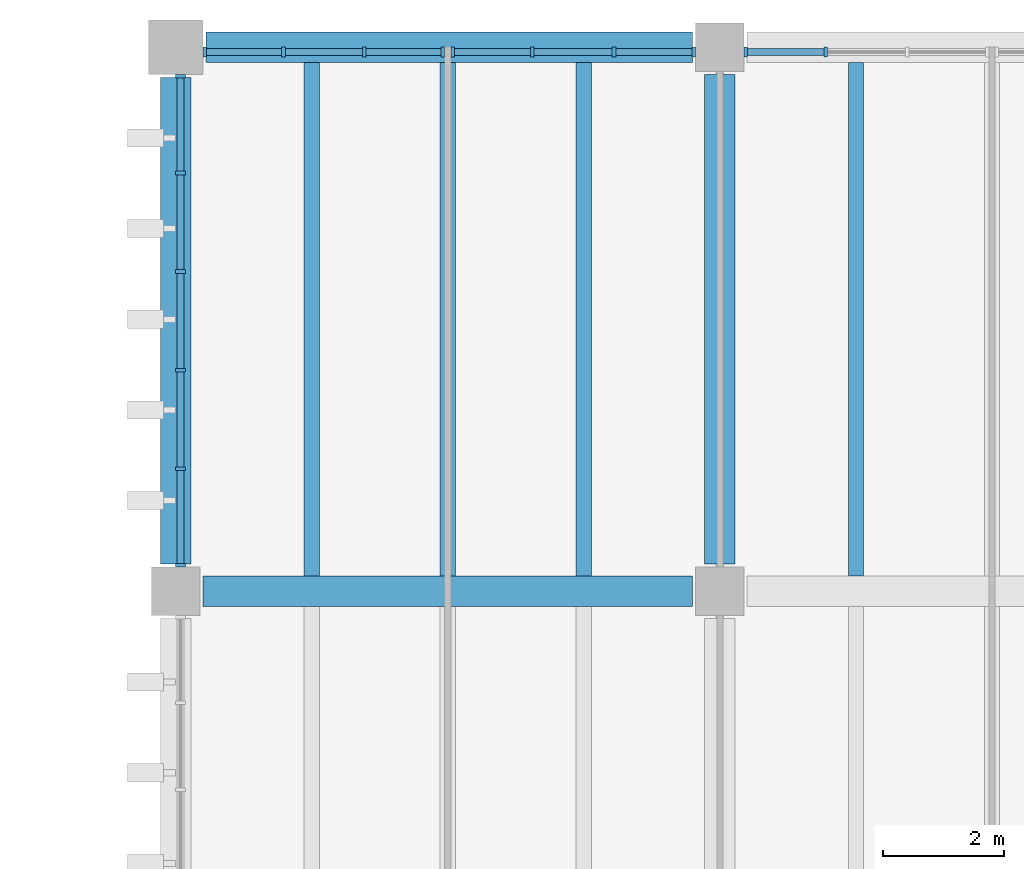
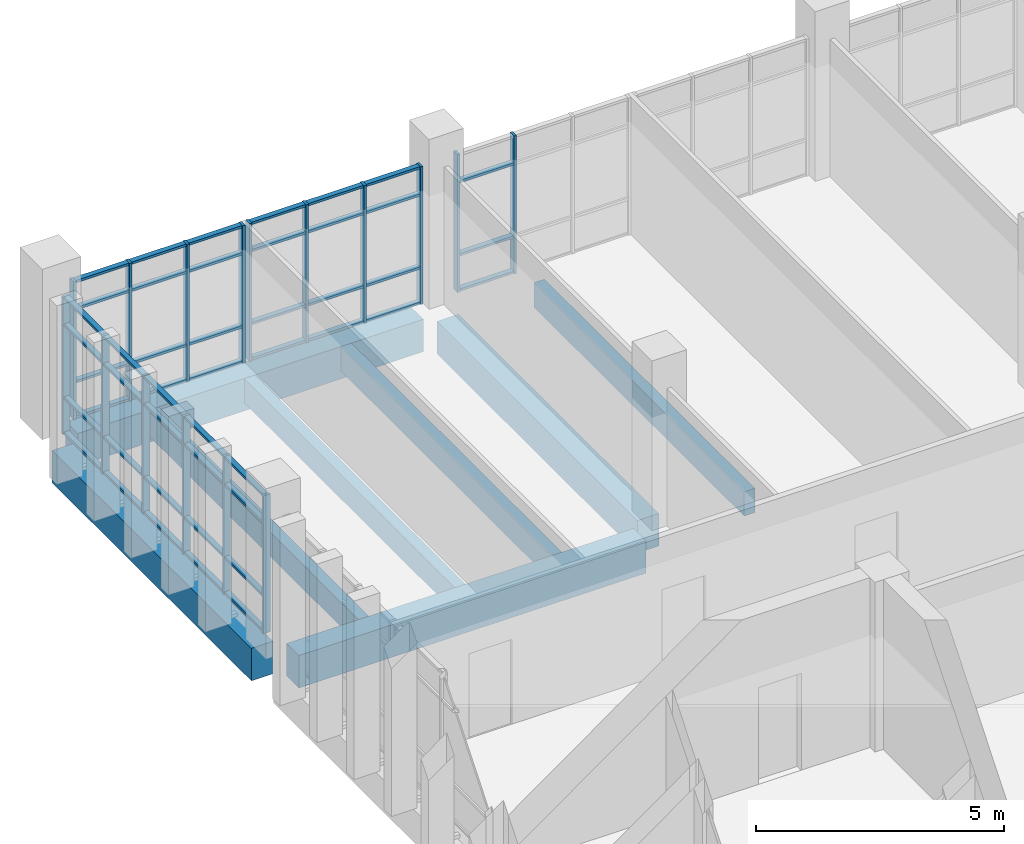
# One storey, part 18 of 50: 63 members, 8 beams, 4 elements without a shape of their own.
"""IFC4 building model written with IfcOpenShell, lengths in metres."""

from ifc_helpers import new_model, si_unit, direction, frame, origin, origin_2d, place, context, subcontext, project, spatial, rectangle, extrude, material, material_profile, profile_set, type_object, element, aggregate, save


model = new_model("IFC4")

# Units and contexts
model_context = context("Model", 3, precision=1e-05, world=origin(), true_north=direction((0.0, 1.0)))
body_context = subcontext(model_context, "Body", "Model", "MODEL_VIEW")
ifc_project = project(units=[si_unit("LENGTHUNIT", "METRE"), si_unit("AREAUNIT", "SQUARE_METRE"), si_unit("VOLUMEUNIT", "CUBIC_METRE"), si_unit("PLANEANGLEUNIT", "RADIAN"), si_unit("MASSUNIT", "GRAM", prefix="KILO")], contexts=[model_context])

# Site, building, storey
site_placement = place(None, origin())
site = spatial("IfcSite", under=ifc_project, at=site_placement, CompositionType="ELEMENT")
building_placement = place(site_placement, origin())
building = spatial("IfcBuilding", under=site, at=building_placement, Name="Merrow Basin Faculty of Sciences", CompositionType="ELEMENT")
storey_placement = place(building_placement, frame((0.0, 0.0, 18.0)))
storey = spatial("IfcBuildingStorey", under=building, at=storey_placement, Name="L04", CompositionType="ELEMENT", Elevation=18.0)

# Curtain wall, members
ifc_material_1 = material(Name="Aluminium alloy 6063", Category="aluminium")
curtain_wall_type = type_object("IfcCurtainWallType", Name="Unitised curtain wall 160", PredefinedType="NOTDEFINED", material=ifc_material_1)
curtain_wall_1_placement = place(storey_placement, origin())
curtain_wall_1 = element("IfcCurtainWall", 1, at=curtain_wall_1_placement, inside=storey, type_object=curtain_wall_type, Name="W curtain wall L04 3", PredefinedType="NOTDEFINED")
ifc_material_2 = material(Name="Aluminium alloy 6063", Category="aluminium")
ifc_material_profile_1 = material_profile(ifc_material_2, rectangle(XDim=0.159912109375, YDim=0.06005859375, at=origin_2d()))
ifc_profile_set_1 = profile_set([ifc_material_profile_1], Name="Aluminium alloy 6063")
member_type_1 = type_object("IfcMemberType", Name="Aluminium mullion 60x160", PredefinedType="MULLION", material=ifc_profile_set_1)
member_1_placement = place(storey_placement, frame((18.080078125, 160.429931640625, 0.0), z_axis=(0.0, 0.0, 1.0), x_axis=(-1.0, 0.0, 0.0)))
member_1 = element("IfcMember", 2, at=member_1_placement, type_object=member_type_1, Name="CW3 mullion 1", PredefinedType="MULLION", context=body_context, shape_type="SweptSolid", body=[
    extrude(rectangle(XDim=0.159912109375, YDim=0.06005859375, at=origin_2d()), origin(), (0.0, 0.0, 1.0), 3.39990234375),
])
member_2_placement = place(storey_placement, frame((18.080078125, 162.030029296875, 0.0), z_axis=(0.0, 0.0, 1.0), x_axis=(-1.0, 0.0, 0.0)))
member_2 = element("IfcMember", 3, at=member_2_placement, type_object=member_type_1, Name="CW3 mullion 2", PredefinedType="MULLION", context=body_context, shape_type="SweptSolid", body=[
    extrude(rectangle(XDim=0.159912109375, YDim=0.06005859375, at=origin_2d()), origin(), (0.0, 0.0, 1.0), 3.39990234375),
])
member_3_placement = place(storey_placement, frame((18.080078125, 163.659912109375, 0.0), z_axis=(0.0, 0.0, 1.0), x_axis=(-1.0, 0.0, 0.0)))
member_3 = element("IfcMember", 4, at=member_3_placement, type_object=member_type_1, Name="CW3 mullion 3", PredefinedType="MULLION", context=body_context, shape_type="SweptSolid", body=[
    extrude(rectangle(XDim=0.159912109375, YDim=0.06005859375, at=origin_2d()), origin(), (0.0, 0.0, 1.0), 3.39990234375),
])
member_4_placement = place(storey_placement, frame((18.080078125, 165.2900390625, 0.0), z_axis=(0.0, 0.0, 1.0), x_axis=(-1.0, 0.0, 0.0)))
member_4 = element("IfcMember", 5, at=member_4_placement, type_object=member_type_1, Name="CW3 mullion 4", PredefinedType="MULLION", context=body_context, shape_type="SweptSolid", body=[
    extrude(rectangle(XDim=0.159912109375, YDim=0.06005859375, at=origin_2d()), origin(), (0.0, 0.0, 1.0), 3.39990234375),
])
member_5_placement = place(storey_placement, frame((18.080078125, 166.919921875, 0.0), z_axis=(0.0, 0.0, 1.0), x_axis=(-1.0, 0.0, 0.0)))
member_5 = element("IfcMember", 6, at=member_5_placement, type_object=member_type_1, Name="CW3 mullion 5", PredefinedType="MULLION", context=body_context, shape_type="SweptSolid", body=[
    extrude(rectangle(XDim=0.159912109375, YDim=0.06005859375, at=origin_2d()), origin(), (0.0, 0.0, 1.0), 3.39990234375),
])
member_6_placement = place(storey_placement, frame((18.080078125, 168.52001953125, 0.0), z_axis=(0.0, 0.0, 1.0), x_axis=(-1.0, 0.0, 0.0)))
member_6 = element("IfcMember", 7, at=member_6_placement, type_object=member_type_1, Name="CW3 mullion 6", PredefinedType="MULLION", context=body_context, shape_type="SweptSolid", body=[
    extrude(rectangle(XDim=0.159912109375, YDim=0.06005859375, at=origin_2d()), origin(), (0.0, 0.0, 1.0), 3.39990234375),
])

curtain_wall_2_placement = place(storey_placement, origin())
curtain_wall_2 = element("IfcCurtainWall", 8, at=curtain_wall_2_placement, inside=storey, type_object=curtain_wall_type, Name="N curtain wall L04 1", PredefinedType="NOTDEFINED")
member_7_placement = place(storey_placement, frame((18.47998046875, 168.919921875, 0.0), z_axis=(0.0, 0.0, 1.0), x_axis=(0.0, 1.0, 0.0)))
member_7 = element("IfcMember", 9, at=member_7_placement, type_object=member_type_1, Name="CW3 mullion 1", PredefinedType="MULLION", context=body_context, shape_type="SweptSolid", body=[
    extrude(rectangle(XDim=0.159912109375, YDim=0.06005859375, at=origin_2d()), origin(), (0.0, 0.0, 1.0), 3.39990234375),
])
member_8_placement = place(storey_placement, frame((19.783447265625, 168.919921875, 0.0), z_axis=(0.0, 0.0, 1.0), x_axis=(0.0, 1.0, 0.0)))
member_8 = element("IfcMember", 10, at=member_8_placement, type_object=member_type_1, Name="CW3 mullion 2", PredefinedType="MULLION", context=body_context, shape_type="SweptSolid", body=[
    extrude(rectangle(XDim=0.159912109375, YDim=0.06005859375, at=origin_2d()), origin(), (0.0, 0.0, 1.0), 3.39990234375),
])
member_9_placement = place(storey_placement, frame((21.11669921875, 168.919921875, 0.0), z_axis=(0.0, 0.0, 1.0), x_axis=(0.0, 1.0, 0.0)))
member_9 = element("IfcMember", 11, at=member_9_placement, type_object=member_type_1, Name="CW3 mullion 3", PredefinedType="MULLION", context=body_context, shape_type="SweptSolid", body=[
    extrude(rectangle(XDim=0.159912109375, YDim=0.06005859375, at=origin_2d()), origin(), (0.0, 0.0, 1.0), 3.39990234375),
])
member_10_placement = place(storey_placement, frame((22.419921875, 168.919921875, 0.0), z_axis=(0.0, 0.0, 1.0), x_axis=(0.0, 1.0, 0.0)))
member_10 = element("IfcMember", 12, at=member_10_placement, type_object=member_type_1, Name="CW3 mullion 4", PredefinedType="MULLION", context=body_context, shape_type="SweptSolid", body=[
    extrude(rectangle(XDim=0.159912109375, YDim=0.06005859375, at=origin_2d()), origin(), (0.0, 0.0, 1.0), 3.39990234375),
])

curtain_wall_3_placement = place(storey_placement, origin())
curtain_wall_3 = element("IfcCurtainWall", 13, at=curtain_wall_3_placement, inside=storey, type_object=curtain_wall_type, Name="N curtain wall L04 2", PredefinedType="NOTDEFINED")
member_11_placement = place(storey_placement, frame((22.580078125, 168.919921875, 0.0), z_axis=(0.0, 0.0, 1.0), x_axis=(0.0, 1.0, 0.0)))
member_11 = element("IfcMember", 14, at=member_11_placement, type_object=member_type_1, Name="CW3 mullion 1", PredefinedType="MULLION", context=body_context, shape_type="SweptSolid", body=[
    extrude(rectangle(XDim=0.159912109375, YDim=0.06005859375, at=origin_2d()), origin(), (0.0, 0.0, 1.0), 3.39990234375),
])
member_12_placement = place(storey_placement, frame((23.89990234375, 168.919921875, 0.0), z_axis=(0.0, 0.0, 1.0), x_axis=(0.0, 1.0, 0.0)))
member_12 = element("IfcMember", 15, at=member_12_placement, type_object=member_type_1, Name="CW3 mullion 2", PredefinedType="MULLION", context=body_context, shape_type="SweptSolid", body=[
    extrude(rectangle(XDim=0.159912109375, YDim=0.06005859375, at=origin_2d()), origin(), (0.0, 0.0, 1.0), 3.39990234375),
])
member_13_placement = place(storey_placement, frame((25.25, 168.919921875, 0.0), z_axis=(0.0, 0.0, 1.0), x_axis=(0.0, 1.0, 0.0)))
member_13 = element("IfcMember", 16, at=member_13_placement, type_object=member_type_1, Name="CW3 mullion 3", PredefinedType="MULLION", context=body_context, shape_type="SweptSolid", body=[
    extrude(rectangle(XDim=0.159912109375, YDim=0.06005859375, at=origin_2d()), origin(), (0.0, 0.0, 1.0), 3.39990234375),
])
member_14_placement = place(storey_placement, frame((26.570068359375, 168.919921875, 0.0), z_axis=(0.0, 0.0, 1.0), x_axis=(0.0, 1.0, 0.0)))
member_14 = element("IfcMember", 17, at=member_14_placement, type_object=member_type_1, Name="CW3 mullion 4", PredefinedType="MULLION", context=body_context, shape_type="SweptSolid", body=[
    extrude(rectangle(XDim=0.159912109375, YDim=0.06005859375, at=origin_2d()), origin(), (0.0, 0.0, 1.0), 3.39990234375),
])

curtain_wall_4_placement = place(storey_placement, origin())
curtain_wall_4 = element("IfcCurtainWall", 18, at=curtain_wall_4_placement, inside=storey, type_object=curtain_wall_type, Name="N curtain wall L04 3", PredefinedType="NOTDEFINED")
member_15_placement = place(storey_placement, frame((27.429931640625, 168.919921875, 0.0), z_axis=(0.0, 0.0, 1.0), x_axis=(0.0, 1.0, 0.0)))
member_15 = element("IfcMember", 19, at=member_15_placement, type_object=member_type_1, Name="CW3 mullion 1", PredefinedType="MULLION", context=body_context, shape_type="SweptSolid", body=[
    extrude(rectangle(XDim=0.159912109375, YDim=0.06005859375, at=origin_2d()), origin(), (0.0, 0.0, 1.0), 3.39990234375),
])
member_16_placement = place(storey_placement, frame((28.75, 168.919921875, 0.0), z_axis=(0.0, 0.0, 1.0), x_axis=(0.0, 1.0, 0.0)))
member_16 = element("IfcMember", 20, at=member_16_placement, type_object=member_type_1, Name="CW3 mullion 2", PredefinedType="MULLION", context=body_context, shape_type="SweptSolid", body=[
    extrude(rectangle(XDim=0.159912109375, YDim=0.06005859375, at=origin_2d()), origin(), (0.0, 0.0, 1.0), 3.39990234375),
])

# Member
ifc_material_3 = material(Name="Aluminium alloy 6063", Category="aluminium")
ifc_material_profile_2 = material_profile(ifc_material_3, rectangle(XDim=0.1201171875, YDim=0.06005859375, at=origin_2d()))
ifc_profile_set_2 = profile_set([ifc_material_profile_2], Name="Aluminium alloy 6063")
member_type_2 = type_object("IfcMemberType", Name="Aluminium transom 60x120", PredefinedType="USERDEFINED", material=ifc_profile_set_2)
member_17_placement = place(storey_placement, frame((18.080078125, 160.4599609375, 0.030029296875), z_axis=(0.0, 1.0, 0.0), x_axis=(-1.0, 0.0, 0.0)))
member_17 = element("IfcMember", 21, at=member_17_placement, type_object=member_type_2, Name="CW3 transom 1.1", ObjectType="TRANSOM", PredefinedType="USERDEFINED", context=body_context, shape_type="SweptSolid", body=[
    extrude(rectangle(XDim=0.1201171875, YDim=0.06005859375, at=origin_2d()), origin(), (0.0, 0.0, 1.0), 1.5400390625),
])

member_18_placement = place(storey_placement, frame((18.080078125, 160.4599609375, 0.89990234375), z_axis=(0.0, 1.0, 0.0), x_axis=(-1.0, 0.0, 0.0)))
member_18 = element("IfcMember", 22, at=member_18_placement, type_object=member_type_2, Name="CW3 transom 1.2", ObjectType="TRANSOM", PredefinedType="USERDEFINED", context=body_context, shape_type="SweptSolid", body=[
    extrude(rectangle(XDim=0.1201171875, YDim=0.06005859375, at=origin_2d()), origin(), (0.0, 0.0, 1.0), 1.5400390625),
])

member_19_placement = place(storey_placement, frame((18.080078125, 160.4599609375, 2.699951171875), z_axis=(0.0, 1.0, 0.0), x_axis=(-1.0, 0.0, 0.0)))
member_19 = element("IfcMember", 23, at=member_19_placement, type_object=member_type_2, Name="CW3 transom 1.3", ObjectType="TRANSOM", PredefinedType="USERDEFINED", context=body_context, shape_type="SweptSolid", body=[
    extrude(rectangle(XDim=0.1201171875, YDim=0.06005859375, at=origin_2d()), origin(), (0.0, 0.0, 1.0), 1.5400390625),
])

member_20_placement = place(storey_placement, frame((18.080078125, 160.4599609375, 3.3701171875), z_axis=(0.0, 1.0, 0.0), x_axis=(-1.0, 0.0, 0.0)))
member_20 = element("IfcMember", 24, at=member_20_placement, type_object=member_type_2, Name="CW3 transom 1.4", ObjectType="TRANSOM", PredefinedType="USERDEFINED", context=body_context, shape_type="SweptSolid", body=[
    extrude(rectangle(XDim=0.1201171875, YDim=0.06005859375, at=origin_2d()), origin(), (0.0, 0.0, 1.0), 1.5400390625),
])

member_21_placement = place(storey_placement, frame((18.080078125, 162.06005859375, 0.030029296875), z_axis=(0.0, 1.0, 0.0), x_axis=(-1.0, 0.0, 0.0)))
member_21 = element("IfcMember", 25, at=member_21_placement, type_object=member_type_2, Name="CW3 transom 2.1", ObjectType="TRANSOM", PredefinedType="USERDEFINED", context=body_context, shape_type="SweptSolid", body=[
    extrude(rectangle(XDim=0.1201171875, YDim=0.06005859375, at=origin_2d()), origin(), (0.0, 0.0, 1.0), 1.56982421875),
])

member_22_placement = place(storey_placement, frame((18.080078125, 162.06005859375, 0.89990234375), z_axis=(0.0, 1.0, 0.0), x_axis=(-1.0, 0.0, 0.0)))
member_22 = element("IfcMember", 26, at=member_22_placement, type_object=member_type_2, Name="CW3 transom 2.2", ObjectType="TRANSOM", PredefinedType="USERDEFINED", context=body_context, shape_type="SweptSolid", body=[
    extrude(rectangle(XDim=0.1201171875, YDim=0.06005859375, at=origin_2d()), origin(), (0.0, 0.0, 1.0), 1.56982421875),
])

member_23_placement = place(storey_placement, frame((18.080078125, 162.06005859375, 2.699951171875), z_axis=(0.0, 1.0, 0.0), x_axis=(-1.0, 0.0, 0.0)))
member_23 = element("IfcMember", 27, at=member_23_placement, type_object=member_type_2, Name="CW3 transom 2.3", ObjectType="TRANSOM", PredefinedType="USERDEFINED", context=body_context, shape_type="SweptSolid", body=[
    extrude(rectangle(XDim=0.1201171875, YDim=0.06005859375, at=origin_2d()), origin(), (0.0, 0.0, 1.0), 1.56982421875),
])

member_24_placement = place(storey_placement, frame((18.080078125, 162.06005859375, 3.3701171875), z_axis=(0.0, 1.0, 0.0), x_axis=(-1.0, 0.0, 0.0)))
member_24 = element("IfcMember", 28, at=member_24_placement, type_object=member_type_2, Name="CW3 transom 2.4", ObjectType="TRANSOM", PredefinedType="USERDEFINED", context=body_context, shape_type="SweptSolid", body=[
    extrude(rectangle(XDim=0.1201171875, YDim=0.06005859375, at=origin_2d()), origin(), (0.0, 0.0, 1.0), 1.56982421875),
])

member_25_placement = place(storey_placement, frame((18.080078125, 163.68994140625, 0.030029296875), z_axis=(0.0, 1.0, 0.0), x_axis=(-1.0, 0.0, 0.0)))
member_25 = element("IfcMember", 29, at=member_25_placement, type_object=member_type_2, Name="CW3 transom 3.1", ObjectType="TRANSOM", PredefinedType="USERDEFINED", context=body_context, shape_type="SweptSolid", body=[
    extrude(rectangle(XDim=0.1201171875, YDim=0.06005859375, at=origin_2d()), origin(), (0.0, 0.0, 1.0), 1.570068359375),
])

member_26_placement = place(storey_placement, frame((18.080078125, 163.68994140625, 0.89990234375), z_axis=(0.0, 1.0, 0.0), x_axis=(-1.0, 0.0, 0.0)))
member_26 = element("IfcMember", 30, at=member_26_placement, type_object=member_type_2, Name="CW3 transom 3.2", ObjectType="TRANSOM", PredefinedType="USERDEFINED", context=body_context, shape_type="SweptSolid", body=[
    extrude(rectangle(XDim=0.1201171875, YDim=0.06005859375, at=origin_2d()), origin(), (0.0, 0.0, 1.0), 1.570068359375),
])

member_27_placement = place(storey_placement, frame((18.080078125, 163.68994140625, 2.699951171875), z_axis=(0.0, 1.0, 0.0), x_axis=(-1.0, 0.0, 0.0)))
member_27 = element("IfcMember", 31, at=member_27_placement, type_object=member_type_2, Name="CW3 transom 3.3", ObjectType="TRANSOM", PredefinedType="USERDEFINED", context=body_context, shape_type="SweptSolid", body=[
    extrude(rectangle(XDim=0.1201171875, YDim=0.06005859375, at=origin_2d()), origin(), (0.0, 0.0, 1.0), 1.570068359375),
])

member_28_placement = place(storey_placement, frame((18.080078125, 163.68994140625, 3.3701171875), z_axis=(0.0, 1.0, 0.0), x_axis=(-1.0, 0.0, 0.0)))
member_28 = element("IfcMember", 32, at=member_28_placement, type_object=member_type_2, Name="CW3 transom 3.4", ObjectType="TRANSOM", PredefinedType="USERDEFINED", context=body_context, shape_type="SweptSolid", body=[
    extrude(rectangle(XDim=0.1201171875, YDim=0.06005859375, at=origin_2d()), origin(), (0.0, 0.0, 1.0), 1.570068359375),
])

member_29_placement = place(storey_placement, frame((18.080078125, 165.320068359375, 0.030029296875), z_axis=(0.0, 1.0, 0.0), x_axis=(-1.0, 0.0, 0.0)))
member_29 = element("IfcMember", 33, at=member_29_placement, type_object=member_type_2, Name="CW3 transom 4.1", ObjectType="TRANSOM", PredefinedType="USERDEFINED", context=body_context, shape_type="SweptSolid", body=[
    extrude(rectangle(XDim=0.1201171875, YDim=0.06005859375, at=origin_2d()), origin(), (0.0, 0.0, 1.0), 1.56982421875),
])

member_30_placement = place(storey_placement, frame((18.080078125, 165.320068359375, 0.89990234375), z_axis=(0.0, 1.0, 0.0), x_axis=(-1.0, 0.0, 0.0)))
member_30 = element("IfcMember", 34, at=member_30_placement, type_object=member_type_2, Name="CW3 transom 4.2", ObjectType="TRANSOM", PredefinedType="USERDEFINED", context=body_context, shape_type="SweptSolid", body=[
    extrude(rectangle(XDim=0.1201171875, YDim=0.06005859375, at=origin_2d()), origin(), (0.0, 0.0, 1.0), 1.56982421875),
])

member_31_placement = place(storey_placement, frame((18.080078125, 165.320068359375, 2.699951171875), z_axis=(0.0, 1.0, 0.0), x_axis=(-1.0, 0.0, 0.0)))
member_31 = element("IfcMember", 35, at=member_31_placement, type_object=member_type_2, Name="CW3 transom 4.3", ObjectType="TRANSOM", PredefinedType="USERDEFINED", context=body_context, shape_type="SweptSolid", body=[
    extrude(rectangle(XDim=0.1201171875, YDim=0.06005859375, at=origin_2d()), origin(), (0.0, 0.0, 1.0), 1.56982421875),
])

member_32_placement = place(storey_placement, frame((18.080078125, 165.320068359375, 3.3701171875), z_axis=(0.0, 1.0, 0.0), x_axis=(-1.0, 0.0, 0.0)))
member_32 = element("IfcMember", 36, at=member_32_placement, type_object=member_type_2, Name="CW3 transom 4.4", ObjectType="TRANSOM", PredefinedType="USERDEFINED", context=body_context, shape_type="SweptSolid", body=[
    extrude(rectangle(XDim=0.1201171875, YDim=0.06005859375, at=origin_2d()), origin(), (0.0, 0.0, 1.0), 1.56982421875),
])

member_33_placement = place(storey_placement, frame((18.080078125, 166.949951171875, 0.030029296875), z_axis=(0.0, 1.0, 0.0), x_axis=(-1.0, 0.0, 0.0)))
member_33 = element("IfcMember", 37, at=member_33_placement, type_object=member_type_2, Name="CW3 transom 5.1", ObjectType="TRANSOM", PredefinedType="USERDEFINED", context=body_context, shape_type="SweptSolid", body=[
    extrude(rectangle(XDim=0.1201171875, YDim=0.06005859375, at=origin_2d()), origin(), (0.0, 0.0, 1.0), 1.5400390625),
])

member_34_placement = place(storey_placement, frame((18.080078125, 166.949951171875, 0.89990234375), z_axis=(0.0, 1.0, 0.0), x_axis=(-1.0, 0.0, 0.0)))
member_34 = element("IfcMember", 38, at=member_34_placement, type_object=member_type_2, Name="CW3 transom 5.2", ObjectType="TRANSOM", PredefinedType="USERDEFINED", context=body_context, shape_type="SweptSolid", body=[
    extrude(rectangle(XDim=0.1201171875, YDim=0.06005859375, at=origin_2d()), origin(), (0.0, 0.0, 1.0), 1.5400390625),
])

member_35_placement = place(storey_placement, frame((18.080078125, 166.949951171875, 2.699951171875), z_axis=(0.0, 1.0, 0.0), x_axis=(-1.0, 0.0, 0.0)))
member_35 = element("IfcMember", 39, at=member_35_placement, type_object=member_type_2, Name="CW3 transom 5.3", ObjectType="TRANSOM", PredefinedType="USERDEFINED", context=body_context, shape_type="SweptSolid", body=[
    extrude(rectangle(XDim=0.1201171875, YDim=0.06005859375, at=origin_2d()), origin(), (0.0, 0.0, 1.0), 1.5400390625),
])

member_36_placement = place(storey_placement, frame((18.080078125, 166.949951171875, 3.3701171875), z_axis=(0.0, 1.0, 0.0), x_axis=(-1.0, 0.0, 0.0)))
member_36 = element("IfcMember", 40, at=member_36_placement, type_object=member_type_2, Name="CW3 transom 5.4", ObjectType="TRANSOM", PredefinedType="USERDEFINED", context=body_context, shape_type="SweptSolid", body=[
    extrude(rectangle(XDim=0.1201171875, YDim=0.06005859375, at=origin_2d()), origin(), (0.0, 0.0, 1.0), 1.5400390625),
])

aggregate(curtain_wall_1, [member_1, member_2, member_3, member_4, member_5, member_6, member_17, member_18, member_19, member_20, member_21, member_22, member_23, member_24, member_25, member_26, member_27, member_28, member_29, member_30, member_31, member_32, member_33, member_34, member_35, member_36])

member_37_placement = place(storey_placement, frame((18.510009765625, 168.919921875, 0.030029296875), z_axis=(1.0, 0.0, 0.0), x_axis=(0.0, 1.0, 0.0)))
member_37 = element("IfcMember", 41, at=member_37_placement, type_object=member_type_2, Name="CW3 transom 1.1", ObjectType="TRANSOM", PredefinedType="USERDEFINED", context=body_context, shape_type="SweptSolid", body=[
    extrude(rectangle(XDim=0.1201171875, YDim=0.06005859375, at=origin_2d()), origin(), (0.0, 0.0, 1.0), 1.243408203125),
])

member_38_placement = place(storey_placement, frame((18.510009765625, 168.919921875, 0.89990234375), z_axis=(1.0, 0.0, 0.0), x_axis=(0.0, 1.0, 0.0)))
member_38 = element("IfcMember", 42, at=member_38_placement, type_object=member_type_2, Name="CW3 transom 1.2", ObjectType="TRANSOM", PredefinedType="USERDEFINED", context=body_context, shape_type="SweptSolid", body=[
    extrude(rectangle(XDim=0.1201171875, YDim=0.06005859375, at=origin_2d()), origin(), (0.0, 0.0, 1.0), 1.243408203125),
])

member_39_placement = place(storey_placement, frame((18.510009765625, 168.919921875, 2.699951171875), z_axis=(1.0, 0.0, 0.0), x_axis=(0.0, 1.0, 0.0)))
member_39 = element("IfcMember", 43, at=member_39_placement, type_object=member_type_2, Name="CW3 transom 1.3", ObjectType="TRANSOM", PredefinedType="USERDEFINED", context=body_context, shape_type="SweptSolid", body=[
    extrude(rectangle(XDim=0.1201171875, YDim=0.06005859375, at=origin_2d()), origin(), (0.0, 0.0, 1.0), 1.243408203125),
])

member_40_placement = place(storey_placement, frame((18.510009765625, 168.919921875, 3.3701171875), z_axis=(1.0, 0.0, 0.0), x_axis=(0.0, 1.0, 0.0)))
member_40 = element("IfcMember", 44, at=member_40_placement, type_object=member_type_2, Name="CW3 transom 1.4", ObjectType="TRANSOM", PredefinedType="USERDEFINED", context=body_context, shape_type="SweptSolid", body=[
    extrude(rectangle(XDim=0.1201171875, YDim=0.06005859375, at=origin_2d()), origin(), (0.0, 0.0, 1.0), 1.243408203125),
])

member_41_placement = place(storey_placement, frame((19.813232421875, 168.919921875, 0.030029296875), z_axis=(1.0, 0.0, 0.0), x_axis=(0.0, 1.0, 0.0)))
member_41 = element("IfcMember", 45, at=member_41_placement, type_object=member_type_2, Name="CW3 transom 2.1", ObjectType="TRANSOM", PredefinedType="USERDEFINED", context=body_context, shape_type="SweptSolid", body=[
    extrude(rectangle(XDim=0.1201171875, YDim=0.06005859375, at=origin_2d()), origin(), (0.0, 0.0, 1.0), 1.2734375),
])

member_42_placement = place(storey_placement, frame((19.813232421875, 168.919921875, 0.89990234375), z_axis=(1.0, 0.0, 0.0), x_axis=(0.0, 1.0, 0.0)))
member_42 = element("IfcMember", 46, at=member_42_placement, type_object=member_type_2, Name="CW3 transom 2.2", ObjectType="TRANSOM", PredefinedType="USERDEFINED", context=body_context, shape_type="SweptSolid", body=[
    extrude(rectangle(XDim=0.1201171875, YDim=0.06005859375, at=origin_2d()), origin(), (0.0, 0.0, 1.0), 1.2734375),
])

member_43_placement = place(storey_placement, frame((19.813232421875, 168.919921875, 2.699951171875), z_axis=(1.0, 0.0, 0.0), x_axis=(0.0, 1.0, 0.0)))
member_43 = element("IfcMember", 47, at=member_43_placement, type_object=member_type_2, Name="CW3 transom 2.3", ObjectType="TRANSOM", PredefinedType="USERDEFINED", context=body_context, shape_type="SweptSolid", body=[
    extrude(rectangle(XDim=0.1201171875, YDim=0.06005859375, at=origin_2d()), origin(), (0.0, 0.0, 1.0), 1.2734375),
])

member_44_placement = place(storey_placement, frame((19.813232421875, 168.919921875, 3.3701171875), z_axis=(1.0, 0.0, 0.0), x_axis=(0.0, 1.0, 0.0)))
member_44 = element("IfcMember", 48, at=member_44_placement, type_object=member_type_2, Name="CW3 transom 2.4", ObjectType="TRANSOM", PredefinedType="USERDEFINED", context=body_context, shape_type="SweptSolid", body=[
    extrude(rectangle(XDim=0.1201171875, YDim=0.06005859375, at=origin_2d()), origin(), (0.0, 0.0, 1.0), 1.2734375),
])

member_45_placement = place(storey_placement, frame((21.146728515625, 168.919921875, 0.030029296875), z_axis=(1.0, 0.0, 0.0), x_axis=(0.0, 1.0, 0.0)))
member_45 = element("IfcMember", 49, at=member_45_placement, type_object=member_type_2, Name="CW3 transom 3.1", ObjectType="TRANSOM", PredefinedType="USERDEFINED", context=body_context, shape_type="SweptSolid", body=[
    extrude(rectangle(XDim=0.1201171875, YDim=0.06005859375, at=origin_2d()), origin(), (0.0, 0.0, 1.0), 1.2431640625),
])

member_46_placement = place(storey_placement, frame((21.146728515625, 168.919921875, 0.89990234375), z_axis=(1.0, 0.0, 0.0), x_axis=(0.0, 1.0, 0.0)))
member_46 = element("IfcMember", 50, at=member_46_placement, type_object=member_type_2, Name="CW3 transom 3.2", ObjectType="TRANSOM", PredefinedType="USERDEFINED", context=body_context, shape_type="SweptSolid", body=[
    extrude(rectangle(XDim=0.1201171875, YDim=0.06005859375, at=origin_2d()), origin(), (0.0, 0.0, 1.0), 1.2431640625),
])

member_47_placement = place(storey_placement, frame((21.146728515625, 168.919921875, 2.699951171875), z_axis=(1.0, 0.0, 0.0), x_axis=(0.0, 1.0, 0.0)))
member_47 = element("IfcMember", 51, at=member_47_placement, type_object=member_type_2, Name="CW3 transom 3.3", ObjectType="TRANSOM", PredefinedType="USERDEFINED", context=body_context, shape_type="SweptSolid", body=[
    extrude(rectangle(XDim=0.1201171875, YDim=0.06005859375, at=origin_2d()), origin(), (0.0, 0.0, 1.0), 1.2431640625),
])

member_48_placement = place(storey_placement, frame((21.146728515625, 168.919921875, 3.3701171875), z_axis=(1.0, 0.0, 0.0), x_axis=(0.0, 1.0, 0.0)))
member_48 = element("IfcMember", 52, at=member_48_placement, type_object=member_type_2, Name="CW3 transom 3.4", ObjectType="TRANSOM", PredefinedType="USERDEFINED", context=body_context, shape_type="SweptSolid", body=[
    extrude(rectangle(XDim=0.1201171875, YDim=0.06005859375, at=origin_2d()), origin(), (0.0, 0.0, 1.0), 1.2431640625),
])

aggregate(curtain_wall_2, [member_7, member_8, member_9, member_10, member_37, member_38, member_39, member_40, member_41, member_42, member_43, member_44, member_45, member_46, member_47, member_48])

member_49_placement = place(storey_placement, frame((22.610107421875, 168.919921875, 0.030029296875), z_axis=(1.0, 0.0, 0.0), x_axis=(0.0, 1.0, 0.0)))
member_49 = element("IfcMember", 53, at=member_49_placement, type_object=member_type_2, Name="CW3 transom 1.1", ObjectType="TRANSOM", PredefinedType="USERDEFINED", context=body_context, shape_type="SweptSolid", body=[
    extrude(rectangle(XDim=0.1201171875, YDim=0.06005859375, at=origin_2d()), origin(), (0.0, 0.0, 1.0), 1.260009765625),
])

member_50_placement = place(storey_placement, frame((22.610107421875, 168.919921875, 0.89990234375), z_axis=(1.0, 0.0, 0.0), x_axis=(0.0, 1.0, 0.0)))
member_50 = element("IfcMember", 54, at=member_50_placement, type_object=member_type_2, Name="CW3 transom 1.2", ObjectType="TRANSOM", PredefinedType="USERDEFINED", context=body_context, shape_type="SweptSolid", body=[
    extrude(rectangle(XDim=0.1201171875, YDim=0.06005859375, at=origin_2d()), origin(), (0.0, 0.0, 1.0), 1.260009765625),
])

member_51_placement = place(storey_placement, frame((22.610107421875, 168.919921875, 2.699951171875), z_axis=(1.0, 0.0, 0.0), x_axis=(0.0, 1.0, 0.0)))
member_51 = element("IfcMember", 55, at=member_51_placement, type_object=member_type_2, Name="CW3 transom 1.3", ObjectType="TRANSOM", PredefinedType="USERDEFINED", context=body_context, shape_type="SweptSolid", body=[
    extrude(rectangle(XDim=0.1201171875, YDim=0.06005859375, at=origin_2d()), origin(), (0.0, 0.0, 1.0), 1.260009765625),
])

member_52_placement = place(storey_placement, frame((22.610107421875, 168.919921875, 3.3701171875), z_axis=(1.0, 0.0, 0.0), x_axis=(0.0, 1.0, 0.0)))
member_52 = element("IfcMember", 56, at=member_52_placement, type_object=member_type_2, Name="CW3 transom 1.4", ObjectType="TRANSOM", PredefinedType="USERDEFINED", context=body_context, shape_type="SweptSolid", body=[
    extrude(rectangle(XDim=0.1201171875, YDim=0.06005859375, at=origin_2d()), origin(), (0.0, 0.0, 1.0), 1.260009765625),
])

member_53_placement = place(storey_placement, frame((23.929931640625, 168.919921875, 0.030029296875), z_axis=(1.0, 0.0, 0.0), x_axis=(0.0, 1.0, 0.0)))
member_53 = element("IfcMember", 57, at=member_53_placement, type_object=member_type_2, Name="CW3 transom 2.1", ObjectType="TRANSOM", PredefinedType="USERDEFINED", context=body_context, shape_type="SweptSolid", body=[
    extrude(rectangle(XDim=0.1201171875, YDim=0.06005859375, at=origin_2d()), origin(), (0.0, 0.0, 1.0), 1.2900390625),
])

member_54_placement = place(storey_placement, frame((23.929931640625, 168.919921875, 0.89990234375), z_axis=(1.0, 0.0, 0.0), x_axis=(0.0, 1.0, 0.0)))
member_54 = element("IfcMember", 58, at=member_54_placement, type_object=member_type_2, Name="CW3 transom 2.2", ObjectType="TRANSOM", PredefinedType="USERDEFINED", context=body_context, shape_type="SweptSolid", body=[
    extrude(rectangle(XDim=0.1201171875, YDim=0.06005859375, at=origin_2d()), origin(), (0.0, 0.0, 1.0), 1.2900390625),
])

member_55_placement = place(storey_placement, frame((23.929931640625, 168.919921875, 2.699951171875), z_axis=(1.0, 0.0, 0.0), x_axis=(0.0, 1.0, 0.0)))
member_55 = element("IfcMember", 59, at=member_55_placement, type_object=member_type_2, Name="CW3 transom 2.3", ObjectType="TRANSOM", PredefinedType="USERDEFINED", context=body_context, shape_type="SweptSolid", body=[
    extrude(rectangle(XDim=0.1201171875, YDim=0.06005859375, at=origin_2d()), origin(), (0.0, 0.0, 1.0), 1.2900390625),
])

member_56_placement = place(storey_placement, frame((23.929931640625, 168.919921875, 3.3701171875), z_axis=(1.0, 0.0, 0.0), x_axis=(0.0, 1.0, 0.0)))
member_56 = element("IfcMember", 60, at=member_56_placement, type_object=member_type_2, Name="CW3 transom 2.4", ObjectType="TRANSOM", PredefinedType="USERDEFINED", context=body_context, shape_type="SweptSolid", body=[
    extrude(rectangle(XDim=0.1201171875, YDim=0.06005859375, at=origin_2d()), origin(), (0.0, 0.0, 1.0), 1.2900390625),
])

member_57_placement = place(storey_placement, frame((25.280029296875, 168.919921875, 0.030029296875), z_axis=(1.0, 0.0, 0.0), x_axis=(0.0, 1.0, 0.0)))
member_57 = element("IfcMember", 61, at=member_57_placement, type_object=member_type_2, Name="CW3 transom 3.1", ObjectType="TRANSOM", PredefinedType="USERDEFINED", context=body_context, shape_type="SweptSolid", body=[
    extrude(rectangle(XDim=0.1201171875, YDim=0.06005859375, at=origin_2d()), origin(), (0.0, 0.0, 1.0), 1.260009765625),
])

member_58_placement = place(storey_placement, frame((25.280029296875, 168.919921875, 0.89990234375), z_axis=(1.0, 0.0, 0.0), x_axis=(0.0, 1.0, 0.0)))
member_58 = element("IfcMember", 62, at=member_58_placement, type_object=member_type_2, Name="CW3 transom 3.2", ObjectType="TRANSOM", PredefinedType="USERDEFINED", context=body_context, shape_type="SweptSolid", body=[
    extrude(rectangle(XDim=0.1201171875, YDim=0.06005859375, at=origin_2d()), origin(), (0.0, 0.0, 1.0), 1.260009765625),
])

member_59_placement = place(storey_placement, frame((25.280029296875, 168.919921875, 2.699951171875), z_axis=(1.0, 0.0, 0.0), x_axis=(0.0, 1.0, 0.0)))
member_59 = element("IfcMember", 63, at=member_59_placement, type_object=member_type_2, Name="CW3 transom 3.3", ObjectType="TRANSOM", PredefinedType="USERDEFINED", context=body_context, shape_type="SweptSolid", body=[
    extrude(rectangle(XDim=0.1201171875, YDim=0.06005859375, at=origin_2d()), origin(), (0.0, 0.0, 1.0), 1.260009765625),
])

member_60_placement = place(storey_placement, frame((25.280029296875, 168.919921875, 3.3701171875), z_axis=(1.0, 0.0, 0.0), x_axis=(0.0, 1.0, 0.0)))
member_60 = element("IfcMember", 64, at=member_60_placement, type_object=member_type_2, Name="CW3 transom 3.4", ObjectType="TRANSOM", PredefinedType="USERDEFINED", context=body_context, shape_type="SweptSolid", body=[
    extrude(rectangle(XDim=0.1201171875, YDim=0.06005859375, at=origin_2d()), origin(), (0.0, 0.0, 1.0), 1.260009765625),
])

aggregate(curtain_wall_3, [member_11, member_12, member_13, member_14, member_49, member_50, member_51, member_52, member_53, member_54, member_55, member_56, member_57, member_58, member_59, member_60])

member_61_placement = place(storey_placement, frame((27.4599609375, 168.919921875, 0.030029296875), z_axis=(1.0, 0.0, 0.0), x_axis=(0.0, 1.0, 0.0)))
member_61 = element("IfcMember", 65, at=member_61_placement, type_object=member_type_2, Name="CW3 transom 1.1", ObjectType="TRANSOM", PredefinedType="USERDEFINED", context=body_context, shape_type="SweptSolid", body=[
    extrude(rectangle(XDim=0.1201171875, YDim=0.06005859375, at=origin_2d()), origin(), (0.0, 0.0, 1.0), 1.260009765625),
])

member_62_placement = place(storey_placement, frame((27.4599609375, 168.919921875, 0.89990234375), z_axis=(1.0, 0.0, 0.0), x_axis=(0.0, 1.0, 0.0)))
member_62 = element("IfcMember", 66, at=member_62_placement, type_object=member_type_2, Name="CW3 transom 1.2", ObjectType="TRANSOM", PredefinedType="USERDEFINED", context=body_context, shape_type="SweptSolid", body=[
    extrude(rectangle(XDim=0.1201171875, YDim=0.06005859375, at=origin_2d()), origin(), (0.0, 0.0, 1.0), 1.260009765625),
])

member_63_placement = place(storey_placement, frame((27.4599609375, 168.919921875, 2.699951171875), z_axis=(1.0, 0.0, 0.0), x_axis=(0.0, 1.0, 0.0)))
member_63 = element("IfcMember", 67, at=member_63_placement, type_object=member_type_2, Name="CW3 transom 1.3", ObjectType="TRANSOM", PredefinedType="USERDEFINED", context=body_context, shape_type="SweptSolid", body=[
    extrude(rectangle(XDim=0.1201171875, YDim=0.06005859375, at=origin_2d()), origin(), (0.0, 0.0, 1.0), 1.260009765625),
])

aggregate(curtain_wall_4, [member_15, member_16, member_61, member_62, member_63])

# Beams
ifc_material_4 = material(Name="Concrete C40/50", Category="concrete")
ifc_material_profile_3 = material_profile(ifc_material_4, rectangle(XDim=0.5, YDim=0.800048828125, at=origin_2d()))
ifc_profile_set_3 = profile_set([ifc_material_profile_3], Name="Concrete C40/50")
beam_type_1 = type_object("IfcBeamType", Name="Beam RC500x800 C40/50", PredefinedType="BEAM", material=ifc_profile_set_3)
beam_1_placement = place(storey_placement, frame((18.449951171875, 160.0, -0.699951171875), z_axis=(1.0, 0.0, 0.0), x_axis=(0.0, 1.0, 0.0)))
element("IfcBeam", 68, at=beam_1_placement, inside=storey, type_object=beam_type_1, Name="B4 L04 006", PredefinedType="BEAM", context=body_context, shape_type="SweptSolid", body=[
    extrude(rectangle(XDim=0.5, YDim=0.800048828125, at=origin_2d()), origin(), (0.0, 0.0, 1.0), 8.10009765625),
])
for number, where, z_axis, x_axis, name in (
    (69, (18.5, 169.0, -0.699951171875), (1.0, 0.0, 0.0), (0.0, 1.0, 0.0), "B4 L04 009"),
    (70, (18.0, 160.449951171875, -0.699951171875), (0.0, 1.0, 0.0), (-1.0, 0.0, 0.0), "B4 L04 014"),
):
    element("IfcBeam", number, at=place(storey_placement, frame(where, z_axis=z_axis, x_axis=x_axis)), inside=storey, type_object=beam_type_1, Name=name, PredefinedType="BEAM", context=body_context, shape_type="SweptSolid", body=[
        extrude(rectangle(XDim=0.5, YDim=0.800048828125, at=origin_2d()), origin(), (0.0, 0.0, 1.0), 8.050048828125),
    ])
beam_2_placement = place(storey_placement, frame((27.0, 160.449951171875, -0.699951171875), z_axis=(0.0, 1.0, 0.0), x_axis=(-1.0, 0.0, 0.0)))
element("IfcBeam", 71, at=beam_2_placement, inside=storey, type_object=beam_type_1, Name="B4 L04 016", PredefinedType="BEAM", context=body_context, shape_type="SweptSolid", body=[
    extrude(rectangle(XDim=0.5, YDim=0.800048828125, at=origin_2d()), origin(), (0.0, 0.0, 1.0), 8.10009765625),
])
ifc_material_5 = material(Name="Concrete C40/50", Category="concrete")
ifc_material_profile_4 = material_profile(ifc_material_5, rectangle(XDim=0.25, YDim=0.60009765625, at=origin_2d()))
ifc_profile_set_4 = profile_set([ifc_material_profile_4], Name="Concrete C40/50")
beam_type_2 = type_object("IfcBeamType", Name="Tower floor joist RC250x600 C40/50", PredefinedType="BEAM", material=ifc_profile_set_4)
for number, where, z_axis, x_axis, name in (
    (72, (20.25, 160.25, -0.60009765625), (0.0, 1.0, 0.0), (-1.0, 0.0, 0.0), "JT1 L04 029"),
    (73, (22.5, 160.25, -0.60009765625), (0.0, 1.0, 0.0), (-1.0, 0.0, 0.0), "JT1 L04 030"),
    (74, (24.75, 160.25, -0.60009765625), (0.0, 1.0, 0.0), (-1.0, 0.0, 0.0), "JT1 L04 031"),
    (75, (29.25, 160.25, -0.60009765625), (0.0, 1.0, 0.0), (-1.0, 0.0, 0.0), "JT1 L04 038"),
):
    element("IfcBeam", number, at=place(storey_placement, frame(where, z_axis=z_axis, x_axis=x_axis)), inside=storey, type_object=beam_type_2, Name=name, PredefinedType="BEAM", context=body_context, shape_type="SweptSolid", body=[
        extrude(rectangle(XDim=0.25, YDim=0.60009765625, at=origin_2d()), origin(), (0.0, 0.0, 1.0), 8.5),
    ])

save(model, "model.ifc")
